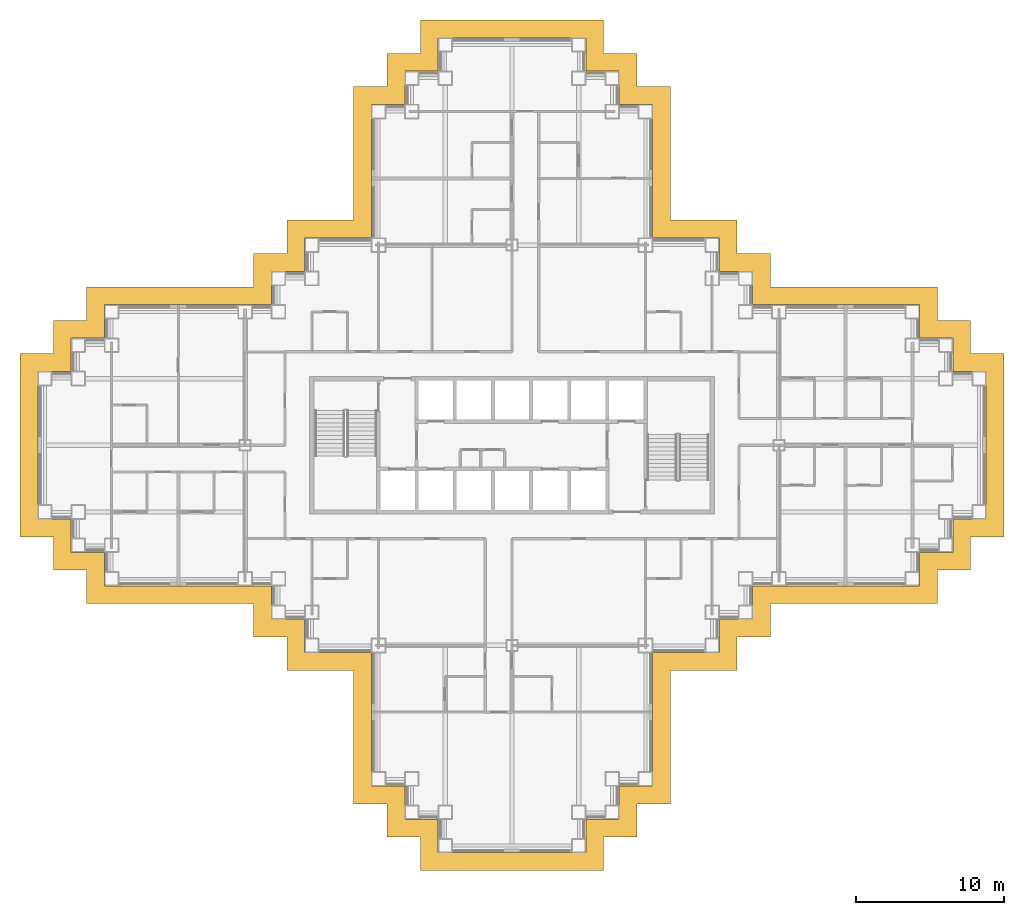
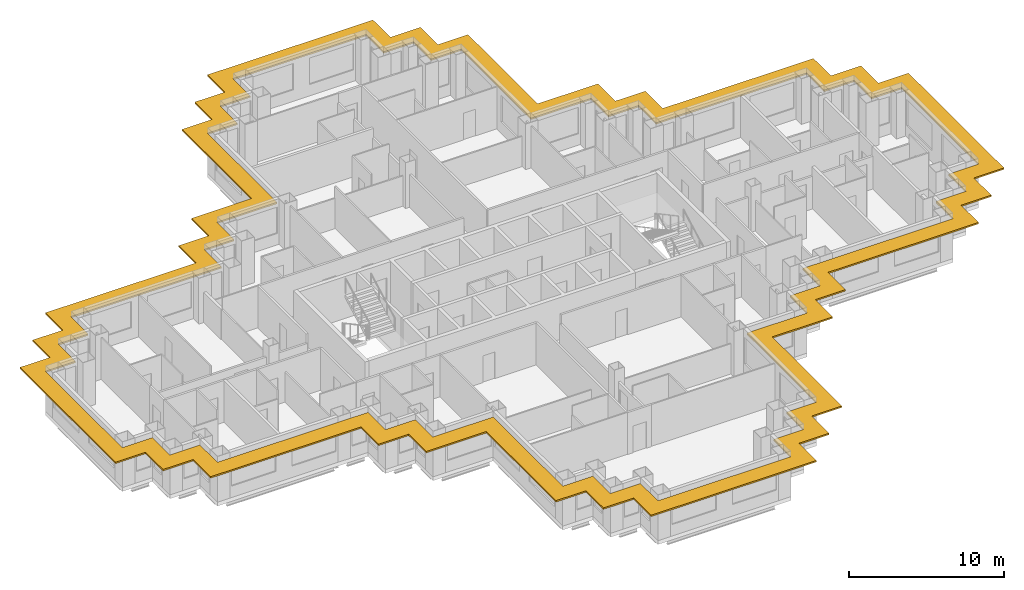
# One storey, part 14 of 15: 1 shading device.
"""IFC4 building model written with IfcOpenShell, lengths in metres."""

from ifc_helpers import new_model, si_unit, direction, frame, origin, place, context, subcontext, project, spatial, polyline, outline, extrude, material, layer, layer_set, type_object, element, save


model = new_model("IFC4")

# Units and contexts
model_context = context("Model", 3, precision=1e-05, world=origin(), true_north=direction((0.0, 1.0)))
body_context = subcontext(model_context, "Body", "Model", "MODEL_VIEW")
ifc_project = project(units=[si_unit("LENGTHUNIT", "METRE"), si_unit("AREAUNIT", "SQUARE_METRE"), si_unit("VOLUMEUNIT", "CUBIC_METRE"), si_unit("PLANEANGLEUNIT", "RADIAN"), si_unit("MASSUNIT", "GRAM", prefix="KILO")], contexts=[model_context])

# Site, building, storey
site_placement = place(None, origin())
site = spatial("IfcSite", under=ifc_project, at=site_placement, CompositionType="ELEMENT")
building_placement = place(site_placement, origin())
building = spatial("IfcBuilding", under=site, at=building_placement, Name="Caravel Reach Hotel and Residences", CompositionType="ELEMENT")
storey_placement = place(building_placement, frame((0.0, 0.0, 78.0)))
storey = spatial("IfcBuildingStorey", under=building, at=storey_placement, Name="L18", CompositionType="ELEMENT", Elevation=78.0)

# Shading device
ifc_material = material(Name="Black powder-coated aluminium", Category="aluminium")
ifc_layer = layer(ifc_material, 0.1201171875)
ifc_layer_set = layer_set([ifc_layer], Name="SS1 Sunshade band 1200")
shading_device_type = type_object("IfcShadingDeviceType", Name="SS1 Sunshade band 1200", PredefinedType="USERDEFINED", material=ifc_layer_set)
shading_device_placement = place(storey_placement, frame((0.0, 0.0, 3.0400390625)))
element("IfcShadingDevice", 1, at=shading_device_placement, inside=storey, type_object=shading_device_type, Name="Sunshade L18 1", ObjectType="SUNSHADE", PredefinedType="USERDEFINED", context=body_context, shape_type="SweptSolid", body=[
    extrude(outline(polyline([(20.824951171875, 11.824951171875), (20.824951171875, 2.824951171875), (23.074951171875, 2.824951171875), (23.074951171875, 0.574951171875), (25.324951171875, 0.574951171875), (25.324951171875, -1.675048828125), (37.675048828125, -1.675048828125), (37.675048828125, 0.574951171875), (39.925048828125, 0.574951171875), (39.925048828125, 2.824951171875), (42.175048828125, 2.824951171875), (42.175048828125, 11.824951171875), (46.675048828125, 11.824951171875), (46.675048828125, 14.074951171875), (48.925048828125, 14.074951171875), (48.925048828125, 16.324951171875), (60.175048828125, 16.324951171875), (60.175048828125, 18.574951171875), (62.425048828125, 18.574951171875), (62.425048828125, 20.824951171875), (64.675048828125, 20.824951171875), (64.675048828125, 33.175048828125), (62.425048828125, 33.175048828125), (62.425048828125, 35.425048828125), (60.175048828125, 35.425048828125), (60.175048828125, 37.675048828125), (48.925048828125, 37.675048828125), (48.925048828125, 39.925048828125), (46.675048828125, 39.925048828125), (46.675048828125, 42.175048828125), (42.175048828125, 42.175048828125), (42.175048828125, 51.175048828125), (39.925048828125, 51.175048828125), (39.925048828125, 53.425048828125), (37.675048828125, 53.425048828125), (37.675048828125, 55.675048828125), (25.324951171875, 55.675048828125), (25.324951171875, 53.425048828125), (23.074951171875, 53.425048828125), (23.074951171875, 51.175048828125), (20.824951171875, 51.175048828125), (20.824951171875, 42.175048828125), (16.324951171875, 42.175048828125), (16.324951171875, 39.925048828125), (14.074951171875, 39.925048828125), (14.074951171875, 37.675048828125), (2.824951171875, 37.675048828125), (2.824951171875, 35.425048828125), (0.574951171875, 35.425048828125), (0.574951171875, 33.175048828125), (-1.675048828125, 33.175048828125), (-1.675048828125, 20.824951171875), (0.574951171875, 20.824951171875), (0.574951171875, 18.574951171875), (2.824951171875, 18.574951171875), (2.824951171875, 16.324951171875), (14.074951171875, 16.324951171875), (14.074951171875, 14.074951171875), (16.324951171875, 14.074951171875), (16.324951171875, 11.824951171875), (20.824951171875, 11.824951171875)]), holes=[polyline([(24.27490234375, 4.02490234375), (22.02490234375, 4.02490234375), (22.02490234375, 13.02490234375), (17.52490234375, 13.02490234375), (17.52490234375, 15.27490234375), (15.27490234375, 15.27490234375), (15.27490234375, 17.52490234375), (4.02490234375, 17.52490234375), (4.02490234375, 19.77490234375), (1.77490234375, 19.77490234375), (1.77490234375, 22.02490234375), (-0.47509765625, 22.02490234375), (-0.47509765625, 31.97509765625), (1.77490234375, 31.97509765625), (1.77490234375, 34.22509765625), (4.02490234375, 34.22509765625), (4.02490234375, 36.47509765625), (15.27490234375, 36.47509765625), (15.27490234375, 38.72509765625), (17.52490234375, 38.72509765625), (17.52490234375, 40.97509765625), (22.02490234375, 40.97509765625), (22.02490234375, 49.97509765625), (24.27490234375, 49.97509765625), (24.27490234375, 52.22509765625), (26.52490234375, 52.22509765625), (26.52490234375, 54.47509765625), (36.47509765625, 54.47509765625), (36.47509765625, 52.22509765625), (38.72509765625, 52.22509765625), (38.72509765625, 49.97509765625), (40.97509765625, 49.97509765625), (40.97509765625, 40.97509765625), (45.47509765625, 40.97509765625), (45.47509765625, 38.72509765625), (47.72509765625, 38.72509765625), (47.72509765625, 36.47509765625), (58.97509765625, 36.47509765625), (58.97509765625, 34.22509765625), (61.22509765625, 34.22509765625), (61.22509765625, 31.97509765625), (63.47509765625, 31.97509765625), (63.47509765625, 22.02490234375), (61.22509765625, 22.02490234375), (61.22509765625, 19.77490234375), (58.97509765625, 19.77490234375), (58.97509765625, 17.52490234375), (47.72509765625, 17.52490234375), (47.72509765625, 15.27490234375), (45.47509765625, 15.27490234375), (45.47509765625, 13.02490234375), (40.97509765625, 13.02490234375), (40.97509765625, 4.02490234375), (38.72509765625, 4.02490234375), (38.72509765625, 1.77490234375), (36.47509765625, 1.77490234375), (36.47509765625, -0.47509765625), (26.52490234375, -0.47509765625), (26.52490234375, 1.77490234375), (24.27490234375, 1.77490234375), (24.27490234375, 4.02490234375)])]), origin(), (0.0, 0.0, 1.0), 0.119873046875),
])

save(model, "model.ifc")
